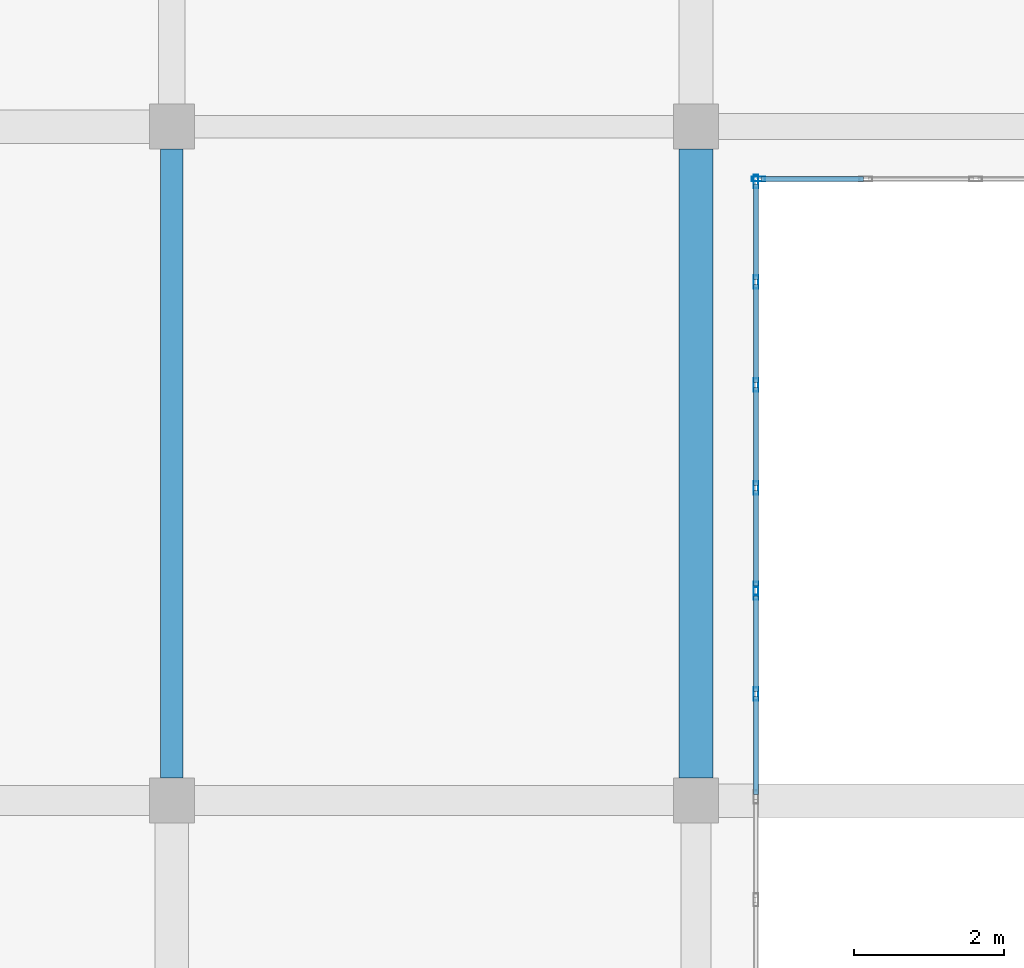
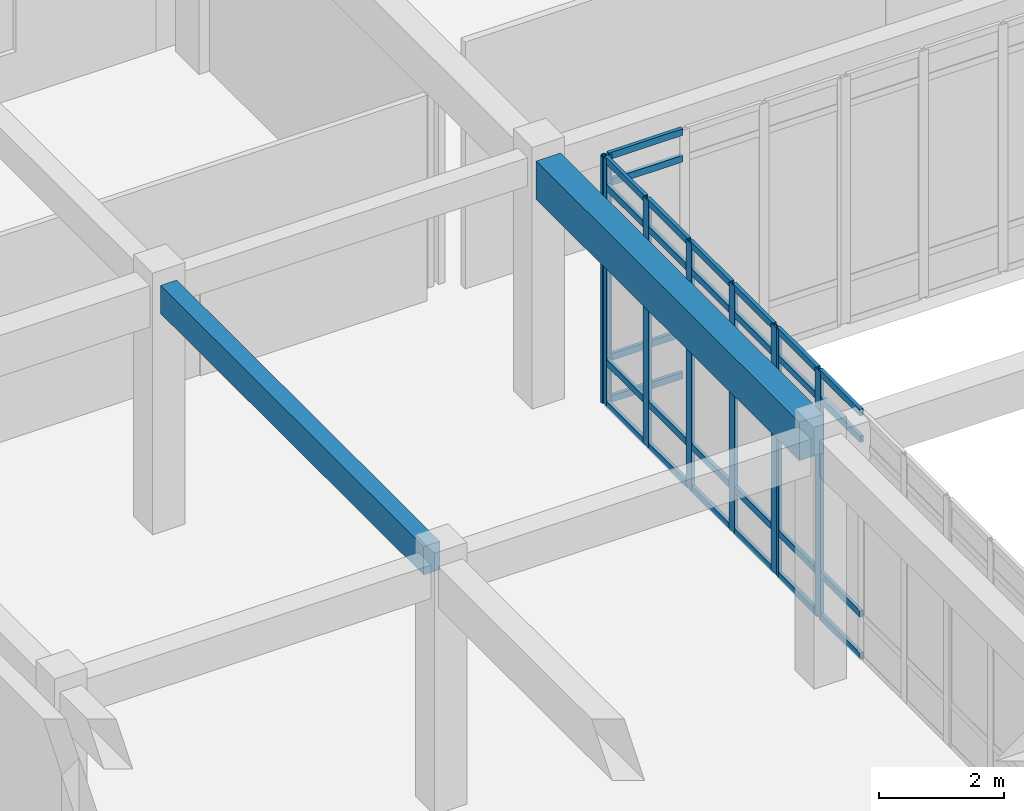
# One storey, part 65 of 121: 36 members, 2 beams, 3 elements without a shape of their own.
"""IFC4 building model written with IfcOpenShell, lengths in metres."""

from ifc_helpers import new_model, si_unit, direction, frame, origin, origin_2d, place, context, subcontext, project, spatial, rectangle, hollow_rectangle, extrude, material, layer, layer_set, material_profile, profile_set, type_object, element, aggregate, save


model = new_model("IFC4")

# Units and contexts
model_context = context("Model", 3, precision=1e-05, world=origin(), true_north=direction((0.0, 1.0)))
body_context = subcontext(model_context, "Body", "Model", "MODEL_VIEW")
ifc_project = project(units=[si_unit("LENGTHUNIT", "METRE"), si_unit("AREAUNIT", "SQUARE_METRE"), si_unit("VOLUMEUNIT", "CUBIC_METRE"), si_unit("PLANEANGLEUNIT", "RADIAN"), si_unit("MASSUNIT", "GRAM", prefix="KILO")], contexts=[model_context])

# Site, building, storey
site_placement = place(None, origin())
site = spatial("IfcSite", under=ifc_project, at=site_placement, CompositionType="ELEMENT")
building_placement = place(site_placement, origin())
building = spatial("IfcBuilding", under=site, at=building_placement, Name="Valcora Specialist Clinic", CompositionType="ELEMENT")
storey_placement = place(building_placement, origin())
storey = spatial("IfcBuildingStorey", under=building, at=storey_placement, Name="L00", CompositionType="ELEMENT", Elevation=0.0)

# Beams
ifc_material_1 = material(Name="Concrete C40/50", Category="concrete")
ifc_material_profile_1 = material_profile(ifc_material_1, rectangle(XDim=0.300048828125, YDim=0.550048828125, at=origin_2d()), Name="RC-BM-300X550")
ifc_profile_set_1 = profile_set([ifc_material_profile_1], Name="Concrete C40/50")
beam_type_1 = type_object("IfcBeamType", Name="TY-BM-RC300X550", PredefinedType="BEAM", material=ifc_profile_set_1)
beam_1_placement = place(storey_placement, frame((69.0, 90.5, 4.534912109375), z_axis=(0.0, 1.0, 0.0), x_axis=(-1.0, 0.0, 0.0)))
element("IfcBeam", 1, at=beam_1_placement, inside=storey, type_object=beam_type_1, Name="Beam BM-L00-0581", PredefinedType="BEAM", context=body_context, shape_type="SweptSolid", body=[
    extrude(rectangle(XDim=0.300048828125, YDim=0.550048828125, at=origin_2d()), origin(), (0.0, 0.0, 1.0), 8.39990234375),
])
ifc_material_profile_2 = material_profile(ifc_material_1, rectangle(XDim=0.449951171875, YDim=0.75, at=origin_2d()), Name="RC-BM-450X750")
ifc_profile_set_2 = profile_set([ifc_material_profile_2], Name="Concrete C40/50")
beam_type_2 = type_object("IfcBeamType", Name="TY-BM-RC450X750", PredefinedType="BEAM", material=ifc_profile_set_2)
beam_2_placement = place(storey_placement, frame((76.0, 90.5, 4.43505859375), z_axis=(0.0, 1.0, 0.0), x_axis=(-1.0, 0.0, 0.0)))
element("IfcBeam", 2, at=beam_2_placement, inside=storey, type_object=beam_type_2, Name="Beam BM-L00-0585", PredefinedType="BEAM", context=body_context, shape_type="SweptSolid", body=[
    extrude(rectangle(XDim=0.449951171875, YDim=0.75, at=origin_2d()), origin(), (0.0, 0.0, 1.0), 8.39990234375),
])

# Curtain wall, member
ifc_material_2 = material(Name="Anodized Bronze Aluminium 6063-T6", Category="aluminium")
ifc_layer = layer(ifc_material_2, 0.175048828125)
ifc_layer_set = layer_set([ifc_layer], Name="Anodized Bronze Aluminium 6063-T6")
curtain_wall_type = type_object("IfcCurtainWallType", Name="TY-CW-CRT15", PredefinedType="NOTDEFINED", material=ifc_layer_set)
curtain_wall_1_placement = place(storey_placement, origin())
curtain_wall_1 = element("IfcCurtainWall", 3, at=curtain_wall_1_placement, inside=storey, type_object=curtain_wall_type, Name="Curtain wall CW-L00-037", PredefinedType="NOTDEFINED")
ifc_material_profile_3 = material_profile(ifc_material_2, hollow_rectangle(XDim=0.06494140625, YDim=0.175048828125, WallThickness=0.00390625, at=origin_2d()), Name="AL-MUL-65X175")
ifc_profile_set_3 = profile_set([ifc_material_profile_3], Name="Anodized Bronze Aluminium 6063-T6")
member_type_1 = type_object("IfcMemberType", Name="TY-CWM-65X175", PredefinedType="MULLION", material=ifc_profile_set_3)
member_1_placement = place(storey_placement, frame((76.83251953125, 98.5, 0.0), z_axis=(0.0, 0.0, 1.0), x_axis=(0.0, -1.0, 0.0)))
member_1 = element("IfcMember", 4, at=member_1_placement, type_object=member_type_1, Name="CW-CRT-15 mullion 4", PredefinedType="MULLION", context=body_context, shape_type="SweptSolid", body=[
    extrude(hollow_rectangle(XDim=0.06494140625, YDim=0.175048828125, WallThickness=0.00390625, at=origin_2d()), origin(), (0.0, 0.0, 1.0), 4.81005859375),
])

# Curtain wall, members
curtain_wall_2_placement = place(storey_placement, origin())
curtain_wall_2 = element("IfcCurtainWall", 5, at=curtain_wall_2_placement, inside=storey, type_object=curtain_wall_type, Name="Curtain wall CW-L00-038", PredefinedType="NOTDEFINED")
member_2_placement = place(storey_placement, frame((76.800048828125, 98.467529296875, 0.0), z_axis=(0.0, 0.0, 1.0), x_axis=(1.0, 0.0, 0.0)))
member_2 = element("IfcMember", 6, at=member_2_placement, type_object=member_type_1, Name="CW-CRT-15 mullion 1", PredefinedType="MULLION", context=body_context, shape_type="SweptSolid", body=[
    extrude(hollow_rectangle(XDim=0.06494140625, YDim=0.175048828125, WallThickness=0.00390625, at=origin_2d()), origin(), (0.0, 0.0, 1.0), 4.81005859375),
])
member_3_placement = place(storey_placement, frame((76.800048828125, 97.125, 0.0), z_axis=(0.0, 0.0, 1.0), x_axis=(1.0, 0.0, 0.0)))
member_3 = element("IfcMember", 7, at=member_3_placement, type_object=member_type_1, Name="CW-CRT-15 mullion 2", PredefinedType="MULLION", context=body_context, shape_type="SweptSolid", body=[
    extrude(hollow_rectangle(XDim=0.06494140625, YDim=0.175048828125, WallThickness=0.00390625, at=origin_2d()), origin(), (0.0, 0.0, 1.0), 4.81005859375),
])
member_4_placement = place(storey_placement, frame((76.800048828125, 95.75, 0.0), z_axis=(0.0, 0.0, 1.0), x_axis=(1.0, 0.0, 0.0)))
member_4 = element("IfcMember", 8, at=member_4_placement, type_object=member_type_1, Name="CW-CRT-15 mullion 3", PredefinedType="MULLION", context=body_context, shape_type="SweptSolid", body=[
    extrude(hollow_rectangle(XDim=0.06494140625, YDim=0.175048828125, WallThickness=0.00390625, at=origin_2d()), origin(), (0.0, 0.0, 1.0), 4.81005859375),
])
member_5_placement = place(storey_placement, frame((76.800048828125, 94.375, 0.0), z_axis=(0.0, 0.0, 1.0), x_axis=(1.0, 0.0, 0.0)))
member_5 = element("IfcMember", 9, at=member_5_placement, type_object=member_type_1, Name="CW-CRT-15 mullion 4", PredefinedType="MULLION", context=body_context, shape_type="SweptSolid", body=[
    extrude(hollow_rectangle(XDim=0.06494140625, YDim=0.175048828125, WallThickness=0.00390625, at=origin_2d()), origin(), (0.0, 0.0, 1.0), 4.81005859375),
])
member_6_placement = place(storey_placement, frame((76.800048828125, 93.032470703125, 0.0), z_axis=(0.0, 0.0, 1.0), x_axis=(1.0, 0.0, 0.0)))
member_6 = element("IfcMember", 10, at=member_6_placement, type_object=member_type_1, Name="CW-CRT-15 mullion 5", PredefinedType="MULLION", context=body_context, shape_type="SweptSolid", body=[
    extrude(hollow_rectangle(XDim=0.06494140625, YDim=0.175048828125, WallThickness=0.00390625, at=origin_2d()), origin(), (0.0, 0.0, 1.0), 4.81005859375),
])

curtain_wall_3_placement = place(storey_placement, origin())
curtain_wall_3 = element("IfcCurtainWall", 11, at=curtain_wall_3_placement, inside=storey, type_object=curtain_wall_type, Name="Curtain wall CW-L00-039", PredefinedType="NOTDEFINED")
member_7_placement = place(storey_placement, frame((76.800048828125, 92.967529296875, 0.0), z_axis=(0.0, 0.0, 1.0), x_axis=(1.0, 0.0, 0.0)))
member_7 = element("IfcMember", 12, at=member_7_placement, type_object=member_type_1, Name="CW-CRT-15 mullion 1", PredefinedType="MULLION", context=body_context, shape_type="SweptSolid", body=[
    extrude(hollow_rectangle(XDim=0.06494140625, YDim=0.175048828125, WallThickness=0.00390625, at=origin_2d()), origin(), (0.0, 0.0, 1.0), 4.81005859375),
])
member_8_placement = place(storey_placement, frame((76.800048828125, 91.625, 0.0), z_axis=(0.0, 0.0, 1.0), x_axis=(1.0, 0.0, 0.0)))
member_8 = element("IfcMember", 13, at=member_8_placement, type_object=member_type_1, Name="CW-CRT-15 mullion 2", PredefinedType="MULLION", context=body_context, shape_type="SweptSolid", body=[
    extrude(hollow_rectangle(XDim=0.06494140625, YDim=0.175048828125, WallThickness=0.00390625, at=origin_2d()), origin(), (0.0, 0.0, 1.0), 4.81005859375),
])

# Member
ifc_material_profile_4 = material_profile(ifc_material_2, hollow_rectangle(XDim=0.06494140625, YDim=0.1298828125, WallThickness=0.00390625, at=origin_2d()), Name="AL-TRN-65X130")
ifc_profile_set_4 = profile_set([ifc_material_profile_4], Name="Anodized Bronze Aluminium 6063-T6")
member_type_2 = type_object("IfcMemberType", Name="TY-CWT-65X130", PredefinedType="USERDEFINED", material=ifc_profile_set_4)
member_9_placement = place(storey_placement, frame((78.234130859375, 98.5, 0.032470703125), z_axis=(-1.0, 0.0, 0.0), x_axis=(0.0, -1.0, 0.0)))
member_9 = element("IfcMember", 14, at=member_9_placement, type_object=member_type_2, Name="CW-CRT-15 transom 3.1", ObjectType="TRANSOM", PredefinedType="USERDEFINED", context=body_context, shape_type="SweptSolid", body=[
    extrude(hollow_rectangle(XDim=0.06494140625, YDim=0.1298828125, WallThickness=0.00390625, at=origin_2d()), origin(), (0.0, 0.0, 1.0), 1.369140625),
])

member_10_placement = place(storey_placement, frame((78.234130859375, 98.5, 0.85009765625), z_axis=(-1.0, 0.0, 0.0), x_axis=(0.0, -1.0, 0.0)))
member_10 = element("IfcMember", 15, at=member_10_placement, type_object=member_type_2, Name="CW-CRT-15 transom 3.2", ObjectType="TRANSOM", PredefinedType="USERDEFINED", context=body_context, shape_type="SweptSolid", body=[
    extrude(hollow_rectangle(XDim=0.06494140625, YDim=0.1298828125, WallThickness=0.00390625, at=origin_2d()), origin(), (0.0, 0.0, 1.0), 1.369140625),
])

member_11_placement = place(storey_placement, frame((78.234130859375, 98.5, 4.260009765625), z_axis=(-1.0, 0.0, 0.0), x_axis=(0.0, -1.0, 0.0)))
member_11 = element("IfcMember", 16, at=member_11_placement, type_object=member_type_2, Name="CW-CRT-15 transom 3.3", ObjectType="TRANSOM", PredefinedType="USERDEFINED", context=body_context, shape_type="SweptSolid", body=[
    extrude(hollow_rectangle(XDim=0.06494140625, YDim=0.1298828125, WallThickness=0.00390625, at=origin_2d()), origin(), (0.0, 0.0, 1.0), 1.369140625),
])

member_12_placement = place(storey_placement, frame((78.234130859375, 98.5, 4.777587890625), z_axis=(-1.0, 0.0, 0.0), x_axis=(0.0, -1.0, 0.0)))
member_12 = element("IfcMember", 17, at=member_12_placement, type_object=member_type_2, Name="CW-CRT-15 transom 3.4", ObjectType="TRANSOM", PredefinedType="USERDEFINED", context=body_context, shape_type="SweptSolid", body=[
    extrude(hollow_rectangle(XDim=0.06494140625, YDim=0.1298828125, WallThickness=0.00390625, at=origin_2d()), origin(), (0.0, 0.0, 1.0), 1.369140625),
])

aggregate(curtain_wall_1, [member_1, member_9, member_10, member_11, member_12])

member_13_placement = place(storey_placement, frame((76.800048828125, 98.43505859375, 0.032470703125), z_axis=(0.0, -1.0, 0.0), x_axis=(1.0, 0.0, 0.0)))
member_13 = element("IfcMember", 18, at=member_13_placement, type_object=member_type_2, Name="CW-CRT-15 transom 1.1", ObjectType="TRANSOM", PredefinedType="USERDEFINED", context=body_context, shape_type="SweptSolid", body=[
    extrude(hollow_rectangle(XDim=0.06494140625, YDim=0.1298828125, WallThickness=0.00390625, at=origin_2d()), origin(), (0.0, 0.0, 1.0), 1.277587890625),
])

member_14_placement = place(storey_placement, frame((76.800048828125, 98.43505859375, 0.85009765625), z_axis=(0.0, -1.0, 0.0), x_axis=(1.0, 0.0, 0.0)))
member_14 = element("IfcMember", 19, at=member_14_placement, type_object=member_type_2, Name="CW-CRT-15 transom 1.2", ObjectType="TRANSOM", PredefinedType="USERDEFINED", context=body_context, shape_type="SweptSolid", body=[
    extrude(hollow_rectangle(XDim=0.06494140625, YDim=0.1298828125, WallThickness=0.00390625, at=origin_2d()), origin(), (0.0, 0.0, 1.0), 1.277587890625),
])

member_15_placement = place(storey_placement, frame((76.800048828125, 98.43505859375, 4.260009765625), z_axis=(0.0, -1.0, 0.0), x_axis=(1.0, 0.0, 0.0)))
member_15 = element("IfcMember", 20, at=member_15_placement, type_object=member_type_2, Name="CW-CRT-15 transom 1.3", ObjectType="TRANSOM", PredefinedType="USERDEFINED", context=body_context, shape_type="SweptSolid", body=[
    extrude(hollow_rectangle(XDim=0.06494140625, YDim=0.1298828125, WallThickness=0.00390625, at=origin_2d()), origin(), (0.0, 0.0, 1.0), 1.277587890625),
])

member_16_placement = place(storey_placement, frame((76.800048828125, 98.43505859375, 4.777587890625), z_axis=(0.0, -1.0, 0.0), x_axis=(1.0, 0.0, 0.0)))
member_16 = element("IfcMember", 21, at=member_16_placement, type_object=member_type_2, Name="CW-CRT-15 transom 1.4", ObjectType="TRANSOM", PredefinedType="USERDEFINED", context=body_context, shape_type="SweptSolid", body=[
    extrude(hollow_rectangle(XDim=0.06494140625, YDim=0.1298828125, WallThickness=0.00390625, at=origin_2d()), origin(), (0.0, 0.0, 1.0), 1.277587890625),
])

member_17_placement = place(storey_placement, frame((76.800048828125, 97.092529296875, 0.032470703125), z_axis=(0.0, -1.0, 0.0), x_axis=(1.0, 0.0, 0.0)))
member_17 = element("IfcMember", 22, at=member_17_placement, type_object=member_type_2, Name="CW-CRT-15 transom 2.1", ObjectType="TRANSOM", PredefinedType="USERDEFINED", context=body_context, shape_type="SweptSolid", body=[
    extrude(hollow_rectangle(XDim=0.06494140625, YDim=0.1298828125, WallThickness=0.00390625, at=origin_2d()), origin(), (0.0, 0.0, 1.0), 1.31005859375),
])

member_18_placement = place(storey_placement, frame((76.800048828125, 97.092529296875, 0.85009765625), z_axis=(0.0, -1.0, 0.0), x_axis=(1.0, 0.0, 0.0)))
member_18 = element("IfcMember", 23, at=member_18_placement, type_object=member_type_2, Name="CW-CRT-15 transom 2.2", ObjectType="TRANSOM", PredefinedType="USERDEFINED", context=body_context, shape_type="SweptSolid", body=[
    extrude(hollow_rectangle(XDim=0.06494140625, YDim=0.1298828125, WallThickness=0.00390625, at=origin_2d()), origin(), (0.0, 0.0, 1.0), 1.31005859375),
])

member_19_placement = place(storey_placement, frame((76.800048828125, 97.092529296875, 4.260009765625), z_axis=(0.0, -1.0, 0.0), x_axis=(1.0, 0.0, 0.0)))
member_19 = element("IfcMember", 24, at=member_19_placement, type_object=member_type_2, Name="CW-CRT-15 transom 2.3", ObjectType="TRANSOM", PredefinedType="USERDEFINED", context=body_context, shape_type="SweptSolid", body=[
    extrude(hollow_rectangle(XDim=0.06494140625, YDim=0.1298828125, WallThickness=0.00390625, at=origin_2d()), origin(), (0.0, 0.0, 1.0), 1.31005859375),
])

member_20_placement = place(storey_placement, frame((76.800048828125, 97.092529296875, 4.777587890625), z_axis=(0.0, -1.0, 0.0), x_axis=(1.0, 0.0, 0.0)))
member_20 = element("IfcMember", 25, at=member_20_placement, type_object=member_type_2, Name="CW-CRT-15 transom 2.4", ObjectType="TRANSOM", PredefinedType="USERDEFINED", context=body_context, shape_type="SweptSolid", body=[
    extrude(hollow_rectangle(XDim=0.06494140625, YDim=0.1298828125, WallThickness=0.00390625, at=origin_2d()), origin(), (0.0, 0.0, 1.0), 1.31005859375),
])

member_21_placement = place(storey_placement, frame((76.800048828125, 95.717529296875, 0.032470703125), z_axis=(0.0, -1.0, 0.0), x_axis=(1.0, 0.0, 0.0)))
member_21 = element("IfcMember", 26, at=member_21_placement, type_object=member_type_2, Name="CW-CRT-15 transom 3.1", ObjectType="TRANSOM", PredefinedType="USERDEFINED", context=body_context, shape_type="SweptSolid", body=[
    extrude(hollow_rectangle(XDim=0.06494140625, YDim=0.1298828125, WallThickness=0.00390625, at=origin_2d()), origin(), (0.0, 0.0, 1.0), 1.31005859375),
])

member_22_placement = place(storey_placement, frame((76.800048828125, 95.717529296875, 0.85009765625), z_axis=(0.0, -1.0, 0.0), x_axis=(1.0, 0.0, 0.0)))
member_22 = element("IfcMember", 27, at=member_22_placement, type_object=member_type_2, Name="CW-CRT-15 transom 3.2", ObjectType="TRANSOM", PredefinedType="USERDEFINED", context=body_context, shape_type="SweptSolid", body=[
    extrude(hollow_rectangle(XDim=0.06494140625, YDim=0.1298828125, WallThickness=0.00390625, at=origin_2d()), origin(), (0.0, 0.0, 1.0), 1.31005859375),
])

member_23_placement = place(storey_placement, frame((76.800048828125, 95.717529296875, 4.260009765625), z_axis=(0.0, -1.0, 0.0), x_axis=(1.0, 0.0, 0.0)))
member_23 = element("IfcMember", 28, at=member_23_placement, type_object=member_type_2, Name="CW-CRT-15 transom 3.3", ObjectType="TRANSOM", PredefinedType="USERDEFINED", context=body_context, shape_type="SweptSolid", body=[
    extrude(hollow_rectangle(XDim=0.06494140625, YDim=0.1298828125, WallThickness=0.00390625, at=origin_2d()), origin(), (0.0, 0.0, 1.0), 1.31005859375),
])

member_24_placement = place(storey_placement, frame((76.800048828125, 95.717529296875, 4.777587890625), z_axis=(0.0, -1.0, 0.0), x_axis=(1.0, 0.0, 0.0)))
member_24 = element("IfcMember", 29, at=member_24_placement, type_object=member_type_2, Name="CW-CRT-15 transom 3.4", ObjectType="TRANSOM", PredefinedType="USERDEFINED", context=body_context, shape_type="SweptSolid", body=[
    extrude(hollow_rectangle(XDim=0.06494140625, YDim=0.1298828125, WallThickness=0.00390625, at=origin_2d()), origin(), (0.0, 0.0, 1.0), 1.31005859375),
])

member_25_placement = place(storey_placement, frame((76.800048828125, 94.342529296875, 0.032470703125), z_axis=(0.0, -1.0, 0.0), x_axis=(1.0, 0.0, 0.0)))
member_25 = element("IfcMember", 30, at=member_25_placement, type_object=member_type_2, Name="CW-CRT-15 transom 4.1", ObjectType="TRANSOM", PredefinedType="USERDEFINED", context=body_context, shape_type="SweptSolid", body=[
    extrude(hollow_rectangle(XDim=0.06494140625, YDim=0.1298828125, WallThickness=0.00390625, at=origin_2d()), origin(), (0.0, 0.0, 1.0), 1.277587890625),
])

member_26_placement = place(storey_placement, frame((76.800048828125, 94.342529296875, 0.85009765625), z_axis=(0.0, -1.0, 0.0), x_axis=(1.0, 0.0, 0.0)))
member_26 = element("IfcMember", 31, at=member_26_placement, type_object=member_type_2, Name="CW-CRT-15 transom 4.2", ObjectType="TRANSOM", PredefinedType="USERDEFINED", context=body_context, shape_type="SweptSolid", body=[
    extrude(hollow_rectangle(XDim=0.06494140625, YDim=0.1298828125, WallThickness=0.00390625, at=origin_2d()), origin(), (0.0, 0.0, 1.0), 1.277587890625),
])

member_27_placement = place(storey_placement, frame((76.800048828125, 94.342529296875, 4.260009765625), z_axis=(0.0, -1.0, 0.0), x_axis=(1.0, 0.0, 0.0)))
member_27 = element("IfcMember", 32, at=member_27_placement, type_object=member_type_2, Name="CW-CRT-15 transom 4.3", ObjectType="TRANSOM", PredefinedType="USERDEFINED", context=body_context, shape_type="SweptSolid", body=[
    extrude(hollow_rectangle(XDim=0.06494140625, YDim=0.1298828125, WallThickness=0.00390625, at=origin_2d()), origin(), (0.0, 0.0, 1.0), 1.277587890625),
])

member_28_placement = place(storey_placement, frame((76.800048828125, 94.342529296875, 4.777587890625), z_axis=(0.0, -1.0, 0.0), x_axis=(1.0, 0.0, 0.0)))
member_28 = element("IfcMember", 33, at=member_28_placement, type_object=member_type_2, Name="CW-CRT-15 transom 4.4", ObjectType="TRANSOM", PredefinedType="USERDEFINED", context=body_context, shape_type="SweptSolid", body=[
    extrude(hollow_rectangle(XDim=0.06494140625, YDim=0.1298828125, WallThickness=0.00390625, at=origin_2d()), origin(), (0.0, 0.0, 1.0), 1.277587890625),
])

aggregate(curtain_wall_2, [member_2, member_3, member_4, member_5, member_6, member_13, member_14, member_15, member_16, member_17, member_18, member_19, member_20, member_21, member_22, member_23, member_24, member_25, member_26, member_27, member_28])

member_29_placement = place(storey_placement, frame((76.800048828125, 92.93505859375, 0.032470703125), z_axis=(0.0, -1.0, 0.0), x_axis=(1.0, 0.0, 0.0)))
member_29 = element("IfcMember", 34, at=member_29_placement, type_object=member_type_2, Name="CW-CRT-15 transom 1.1", ObjectType="TRANSOM", PredefinedType="USERDEFINED", context=body_context, shape_type="SweptSolid", body=[
    extrude(hollow_rectangle(XDim=0.06494140625, YDim=0.1298828125, WallThickness=0.00390625, at=origin_2d()), origin(), (0.0, 0.0, 1.0), 1.277587890625),
])

member_30_placement = place(storey_placement, frame((76.800048828125, 92.93505859375, 0.85009765625), z_axis=(0.0, -1.0, 0.0), x_axis=(1.0, 0.0, 0.0)))
member_30 = element("IfcMember", 35, at=member_30_placement, type_object=member_type_2, Name="CW-CRT-15 transom 1.2", ObjectType="TRANSOM", PredefinedType="USERDEFINED", context=body_context, shape_type="SweptSolid", body=[
    extrude(hollow_rectangle(XDim=0.06494140625, YDim=0.1298828125, WallThickness=0.00390625, at=origin_2d()), origin(), (0.0, 0.0, 1.0), 1.277587890625),
])

member_31_placement = place(storey_placement, frame((76.800048828125, 92.93505859375, 4.260009765625), z_axis=(0.0, -1.0, 0.0), x_axis=(1.0, 0.0, 0.0)))
member_31 = element("IfcMember", 36, at=member_31_placement, type_object=member_type_2, Name="CW-CRT-15 transom 1.3", ObjectType="TRANSOM", PredefinedType="USERDEFINED", context=body_context, shape_type="SweptSolid", body=[
    extrude(hollow_rectangle(XDim=0.06494140625, YDim=0.1298828125, WallThickness=0.00390625, at=origin_2d()), origin(), (0.0, 0.0, 1.0), 1.277587890625),
])

member_32_placement = place(storey_placement, frame((76.800048828125, 92.93505859375, 4.777587890625), z_axis=(0.0, -1.0, 0.0), x_axis=(1.0, 0.0, 0.0)))
member_32 = element("IfcMember", 37, at=member_32_placement, type_object=member_type_2, Name="CW-CRT-15 transom 1.4", ObjectType="TRANSOM", PredefinedType="USERDEFINED", context=body_context, shape_type="SweptSolid", body=[
    extrude(hollow_rectangle(XDim=0.06494140625, YDim=0.1298828125, WallThickness=0.00390625, at=origin_2d()), origin(), (0.0, 0.0, 1.0), 1.277587890625),
])

member_33_placement = place(storey_placement, frame((76.800048828125, 91.592529296875, 0.032470703125), z_axis=(0.0, -1.0, 0.0), x_axis=(1.0, 0.0, 0.0)))
member_33 = element("IfcMember", 38, at=member_33_placement, type_object=member_type_2, Name="CW-CRT-15 transom 2.1", ObjectType="TRANSOM", PredefinedType="USERDEFINED", context=body_context, shape_type="SweptSolid", body=[
    extrude(hollow_rectangle(XDim=0.06494140625, YDim=0.1298828125, WallThickness=0.00390625, at=origin_2d()), origin(), (0.0, 0.0, 1.0), 1.31005859375),
])

member_34_placement = place(storey_placement, frame((76.800048828125, 91.592529296875, 0.85009765625), z_axis=(0.0, -1.0, 0.0), x_axis=(1.0, 0.0, 0.0)))
member_34 = element("IfcMember", 39, at=member_34_placement, type_object=member_type_2, Name="CW-CRT-15 transom 2.2", ObjectType="TRANSOM", PredefinedType="USERDEFINED", context=body_context, shape_type="SweptSolid", body=[
    extrude(hollow_rectangle(XDim=0.06494140625, YDim=0.1298828125, WallThickness=0.00390625, at=origin_2d()), origin(), (0.0, 0.0, 1.0), 1.31005859375),
])

member_35_placement = place(storey_placement, frame((76.800048828125, 91.592529296875, 4.260009765625), z_axis=(0.0, -1.0, 0.0), x_axis=(1.0, 0.0, 0.0)))
member_35 = element("IfcMember", 40, at=member_35_placement, type_object=member_type_2, Name="CW-CRT-15 transom 2.3", ObjectType="TRANSOM", PredefinedType="USERDEFINED", context=body_context, shape_type="SweptSolid", body=[
    extrude(hollow_rectangle(XDim=0.06494140625, YDim=0.1298828125, WallThickness=0.00390625, at=origin_2d()), origin(), (0.0, 0.0, 1.0), 1.31005859375),
])

member_36_placement = place(storey_placement, frame((76.800048828125, 91.592529296875, 4.777587890625), z_axis=(0.0, -1.0, 0.0), x_axis=(1.0, 0.0, 0.0)))
member_36 = element("IfcMember", 41, at=member_36_placement, type_object=member_type_2, Name="CW-CRT-15 transom 2.4", ObjectType="TRANSOM", PredefinedType="USERDEFINED", context=body_context, shape_type="SweptSolid", body=[
    extrude(hollow_rectangle(XDim=0.06494140625, YDim=0.1298828125, WallThickness=0.00390625, at=origin_2d()), origin(), (0.0, 0.0, 1.0), 1.31005859375),
])

aggregate(curtain_wall_3, [member_7, member_8, member_29, member_30, member_31, member_32, member_33, member_34, member_35, member_36])

save(model, "model.ifc")
